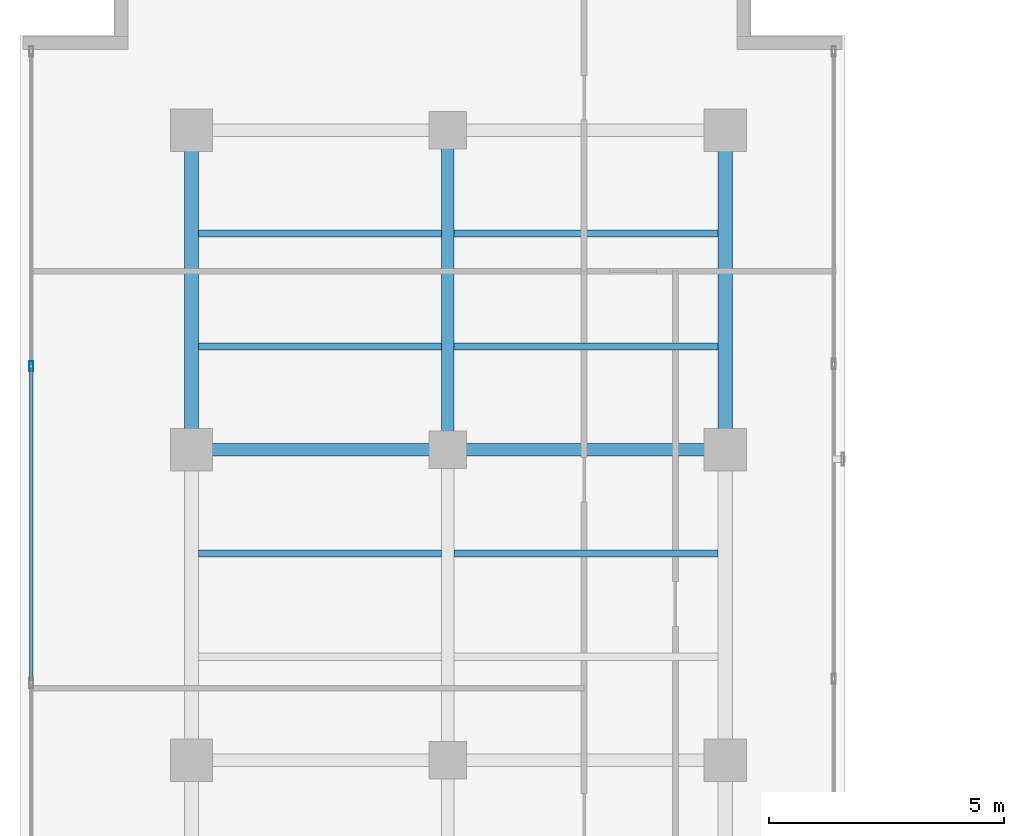
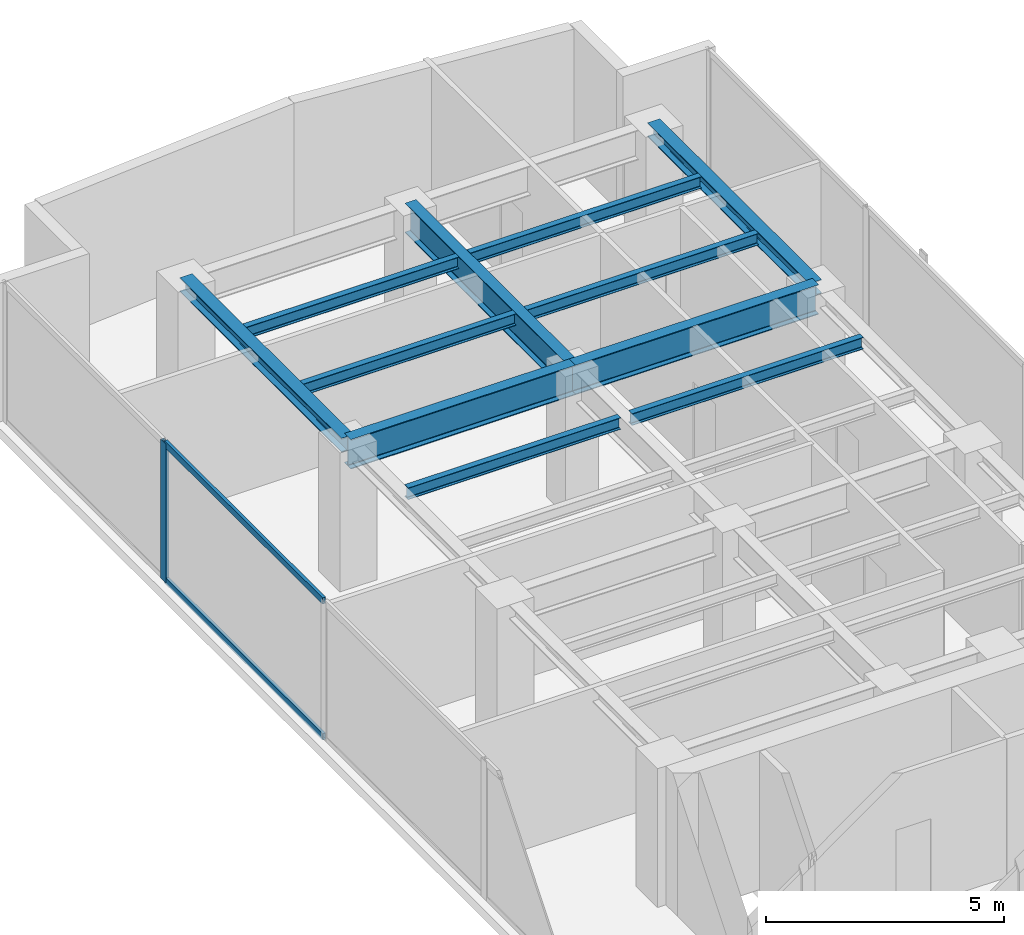
# One storey, part 13 of 22: 11 beams, 3 members, 1 element without a shape of its own.
"""IFC4 building model written with IfcOpenShell, lengths in metres."""

from ifc_helpers import new_model, si_unit, direction, frame, origin, origin_with_axes, origin_2d, place, context, subcontext, project, spatial, hollow_rectangle, i_section, extrude, source, transform, mapped, material, layer, layer_set, material_profile, profile_set, type_object, element, aggregate, save


model = new_model("IFC4")

# Units and contexts
model_context = context("Model", 3, precision=1e-05, world=origin(), true_north=direction((0.0, 1.0)))
body_context = subcontext(model_context, "Body", "Model", "MODEL_VIEW")
ifc_project = project(units=[si_unit("LENGTHUNIT", "METRE"), si_unit("AREAUNIT", "SQUARE_METRE"), si_unit("VOLUMEUNIT", "CUBIC_METRE"), si_unit("PLANEANGLEUNIT", "RADIAN"), si_unit("MASSUNIT", "GRAM", prefix="KILO")], contexts=[model_context])

# Site, building, storey
site_placement = place(None, origin())
site = spatial("IfcSite", under=ifc_project, at=site_placement, CompositionType="ELEMENT")
building_placement = place(site_placement, origin())
building = spatial("IfcBuilding", under=site, at=building_placement, Name="Kolvaren Waterfront Exchange", CompositionType="ELEMENT")
storey_placement = place(building_placement, frame((0.0, 0.0, 281.800048828125)))
storey = spatial("IfcBuildingStorey", under=building, at=storey_placement, Name="L72", CompositionType="ELEMENT", Elevation=281.800048828125)

# Beams
ifc_material_1 = material(Name="Steel S355", Category="steel")
ifc_material_profile_1 = material_profile(ifc_material_1, i_section(OverallWidth=0.300048828125, OverallDepth=0.360107421875, WebThickness=0.012451171875, FlangeThickness=0.0224609375, FilletRadius=0.027099609375, at=origin_2d()), Name="HEB360")
ifc_profile_set_1 = profile_set([ifc_material_profile_1], Name="Steel S355")
beam_type_1 = type_object("IfcBeamType", Name="STR-BM-HEB360", PredefinedType="SPANDREL", material=ifc_profile_set_1)
for number, where, z_axis, x_axis, name in (
    (1, (7.449951171875, 37.800048828125, 3.3798828125), (0.0, 1.0, 0.0), (-1.0, 0.0, 0.0), "L72 north-arm edge beam 3"),
    (2, (18.800048828125, 37.800048828125, 3.3798828125), (0.0, 1.0, 0.0), (-1.0, 0.0, 0.0), "L72 north-arm edge beam 3"),
):
    element("IfcBeam", number, at=place(storey_placement, frame(where, z_axis=z_axis, x_axis=x_axis)), inside=storey, type_object=beam_type_1, Name=name, PredefinedType="SPANDREL", context=body_context, shape_type="SweptSolid", body=[
        extrude(i_section(OverallWidth=0.300048828125, OverallDepth=0.360107421875, WebThickness=0.012451171875, FlangeThickness=0.0224609375, FilletRadius=0.027099609375, at=origin_2d()), origin(), (0.0, 0.0, 1.0), 6.800048828125),
    ])
ifc_material_profile_2 = material_profile(ifc_material_1, i_section(OverallWidth=0.14990234375, OverallDepth=0.300048828125, WebThickness=0.007080078125, FlangeThickness=0.0107421875, FilletRadius=0.014892578125, at=origin_2d()), Name="IPE300")
ifc_profile_set_2 = profile_set([ifc_material_profile_2], Name="Steel S355")
beam_type_2 = type_object("IfcBeamType", Name="STR-BM-IPE300", PredefinedType="JOIST", material=ifc_profile_set_2)
beam_1_placement = place(storey_placement, frame((7.60205078125, 35.60009765625, 3.409912109375), z_axis=(1.0, 0.0, 0.0), x_axis=(0.0, 1.0, 0.0)))
element("IfcBeam", 3, at=beam_1_placement, inside=storey, type_object=beam_type_2, Name="L72 north-arm composite joist 4A", PredefinedType="JOIST", context=body_context, shape_type="SweptSolid", body=[
    extrude(i_section(OverallWidth=0.14990234375, OverallDepth=0.300048828125, WebThickness=0.007080078125, FlangeThickness=0.0107421875, FilletRadius=0.014892578125, at=origin_2d()), origin(), (0.0, 0.0, 1.0), 5.162353515625),
])
beam_2_placement = place(storey_placement, frame((13.035400390625, 35.60009765625, 3.409912109375), z_axis=(1.0, 0.0, 0.0), x_axis=(0.0, 1.0, 0.0)))
element("IfcBeam", 4, at=beam_2_placement, inside=storey, type_object=beam_type_2, Name="L72 north-arm composite joist 4B", PredefinedType="JOIST", context=body_context, shape_type="SweptSolid", body=[
    extrude(i_section(OverallWidth=0.14990234375, OverallDepth=0.300048828125, WebThickness=0.007080078125, FlangeThickness=0.0107421875, FilletRadius=0.014892578125, at=origin_2d()), origin(), (0.0, 0.0, 1.0), 5.612548828125),
])
beam_3_placement = place(storey_placement, frame((7.60205078125, 40.0, 3.409912109375), z_axis=(1.0, 0.0, 0.0), x_axis=(0.0, 1.0, 0.0)))
element("IfcBeam", 5, at=beam_3_placement, inside=storey, type_object=beam_type_2, Name="L72 north-arm composite joist 5A", PredefinedType="JOIST", context=body_context, shape_type="SweptSolid", body=[
    extrude(i_section(OverallWidth=0.14990234375, OverallDepth=0.300048828125, WebThickness=0.007080078125, FlangeThickness=0.0107421875, FilletRadius=0.014892578125, at=origin_2d()), origin(), (0.0, 0.0, 1.0), 5.162353515625),
])
beam_4_placement = place(storey_placement, frame((13.035400390625, 40.0, 3.409912109375), z_axis=(1.0, 0.0, 0.0), x_axis=(0.0, 1.0, 0.0)))
element("IfcBeam", 6, at=beam_4_placement, inside=storey, type_object=beam_type_2, Name="L72 north-arm composite joist 5B", PredefinedType="JOIST", context=body_context, shape_type="SweptSolid", body=[
    extrude(i_section(OverallWidth=0.14990234375, OverallDepth=0.300048828125, WebThickness=0.007080078125, FlangeThickness=0.0107421875, FilletRadius=0.014892578125, at=origin_2d()), origin(), (0.0, 0.0, 1.0), 5.612548828125),
])
beam_5_placement = place(storey_placement, frame((7.60205078125, 42.39990234375, 3.409912109375), z_axis=(1.0, 0.0, 0.0), x_axis=(0.0, 1.0, 0.0)))
element("IfcBeam", 7, at=beam_5_placement, inside=storey, type_object=beam_type_2, Name="L72 north-arm composite joist 6A", PredefinedType="JOIST", context=body_context, shape_type="SweptSolid", body=[
    extrude(i_section(OverallWidth=0.14990234375, OverallDepth=0.300048828125, WebThickness=0.007080078125, FlangeThickness=0.0107421875, FilletRadius=0.014892578125, at=origin_2d()), origin(), (0.0, 0.0, 1.0), 5.162353515625),
])
beam_6_placement = place(storey_placement, frame((13.035400390625, 42.39990234375, 3.409912109375), z_axis=(1.0, 0.0, 0.0), x_axis=(0.0, 1.0, 0.0)))
element("IfcBeam", 8, at=beam_6_placement, inside=storey, type_object=beam_type_2, Name="L72 north-arm composite joist 6B", PredefinedType="JOIST", context=body_context, shape_type="SweptSolid", body=[
    extrude(i_section(OverallWidth=0.14990234375, OverallDepth=0.300048828125, WebThickness=0.007080078125, FlangeThickness=0.0107421875, FilletRadius=0.014892578125, at=origin_2d()), origin(), (0.0, 0.0, 1.0), 5.612548828125),
])
ifc_material_profile_3 = material_profile(ifc_material_1, i_section(OverallWidth=0.26708984375, OverallDepth=0.761962890625, WebThickness=0.014404296875, FlangeThickness=0.021484375, FilletRadius=0.01708984375, at=origin_2d()), Name="IPE750x173")
ifc_profile_set_3 = profile_set([ifc_material_profile_3], Name="Steel S355")
beam_type_3 = type_object("IfcBeamType", Name="STR-BM-IPE750", PredefinedType="BEAM", material=ifc_profile_set_3)
beam_7_placement = place(storey_placement, frame((7.449951171875, 37.800048828125, 3.178955078125), z_axis=(1.0, 0.0, 0.0), x_axis=(0.0, 1.0, 0.0)))
element("IfcBeam", 9, at=beam_7_placement, inside=storey, type_object=beam_type_3, Name="L72 north-arm girder 3A", PredefinedType="BEAM", context=body_context, shape_type="SweptSolid", body=[
    extrude(i_section(OverallWidth=0.26708984375, OverallDepth=0.761962890625, WebThickness=0.014404296875, FlangeThickness=0.021484375, FilletRadius=0.01708984375, at=origin_2d()), origin(), (0.0, 0.0, 1.0), 5.449951171875),
])
beam_8_placement = place(storey_placement, frame((12.89990234375, 37.800048828125, 3.178955078125), z_axis=(1.0, 0.0, 0.0), x_axis=(0.0, 1.0, 0.0)))
element("IfcBeam", 10, at=beam_8_placement, inside=storey, type_object=beam_type_3, Name="L72 north-arm girder 3B", PredefinedType="BEAM", context=body_context, shape_type="SweptSolid", body=[
    extrude(i_section(OverallWidth=0.26708984375, OverallDepth=0.761962890625, WebThickness=0.014404296875, FlangeThickness=0.021484375, FilletRadius=0.01708984375, at=origin_2d()), origin(), (0.0, 0.0, 1.0), 5.900146484375),
])
beam_9_placement = place(storey_placement, frame((12.89990234375, 37.800048828125, 3.178955078125), z_axis=(0.0, 1.0, 0.0), x_axis=(-1.0, 0.0, 0.0)))
element("IfcBeam", 11, at=beam_9_placement, inside=storey, type_object=beam_type_3, Name="L72 north-arm edge beam 3", PredefinedType="BEAM", context=body_context, shape_type="SweptSolid", body=[
    extrude(i_section(OverallWidth=0.26708984375, OverallDepth=0.761962890625, WebThickness=0.014404296875, FlangeThickness=0.021484375, FilletRadius=0.01708984375, at=origin_2d()), origin(), (0.0, 0.0, 1.0), 6.800048828125),
])

# Curtain wall, members
ifc_material_2 = material(Name="Anodised aluminium 6063-T6", Category="aluminium")
ifc_layer = layer(ifc_material_2, 0.219970703125, Name="Anodised aluminium 6063-T6")
ifc_layer_set = layer_set([ifc_layer], Name="Anodised aluminium 6063-T6")
curtain_wall_type = type_object("IfcCurtainWallType", Name="ARC-CW-SYS2", PredefinedType="USERDEFINED", material=ifc_layer_set)
curtain_wall_placement = place(storey_placement, origin())
curtain_wall = element("IfcCurtainWall", 12, at=curtain_wall_placement, inside=storey, type_object=curtain_wall_type, Name="L72 stick curtain wall CW2 (CW-L72-W)", ObjectType="STICK CURTAIN WALL", PredefinedType="USERDEFINED")
ifc_material_profile_4 = material_profile(ifc_material_2, hollow_rectangle(XDim=0.080078125, YDim=0.219970703125, WallThickness=0.0048828125, at=origin_2d()), Name="ALU-MUL-220x80x5")
ifc_profile_set_4 = profile_set([ifc_material_profile_4], Name="Anodised aluminium 6063-T6")
member_type_1 = type_object("IfcMemberType", Name="ARC-CWM-220", PredefinedType="MULLION", material=ifc_profile_set_4)
shared_shape_1 = source(origin_with_axes(), body_context, "Body", "SweptSolid", [
    extrude(hollow_rectangle(XDim=0.080078125, YDim=0.219970703125, WallThickness=0.0048828125, at=origin_2d()), origin(), (0.0, 0.0, 1.0), 3.56005859375),
])
member_1_placement = place(storey_placement, frame((4.0400390625, 39.579833984375, 0.0), z_axis=(0.0, 0.0, 1.0), x_axis=(-1.0, 0.0, 0.0)))
member_1 = element("IfcMember", 13, at=member_1_placement, type_object=member_type_1, Name="CW2 mullion 6", PredefinedType="MULLION", context=body_context, shape_type="MappedRepresentation", body=[
    mapped(shared_shape_1, transform((0.0, 0.0, 0.0), x_axis=(1.0, 0.0, 0.0), y_axis=(0.0, 1.0, 0.0), z_axis=(0.0, 0.0, 1.0), scale=1.0)),
])
ifc_material_profile_5 = material_profile(ifc_material_2, hollow_rectangle(XDim=0.074951171875, YDim=0.159912109375, WallThickness=0.00439453125, at=origin_2d()), Name="ALU-TRN-160x75x4.5")
ifc_profile_set_5 = profile_set([ifc_material_profile_5], Name="Anodised aluminium 6063-T6")
member_type_2 = type_object("IfcMemberType", Name="ARC-CWT-160", PredefinedType="USERDEFINED", material=ifc_profile_set_5)
shared_shape_2 = source(origin_with_axes(), body_context, "Body", "SweptSolid", [
    extrude(hollow_rectangle(XDim=0.074951171875, YDim=0.159912109375, WallThickness=0.00439453125, at=origin_2d()), origin(), (0.0, 0.0, 1.0), 6.656005859375),
])
member_2_placement = place(storey_placement, frame((4.0400390625, 32.8837890625, 0.037353515625), z_axis=(0.0, 1.0, 0.0), x_axis=(-1.0, 0.0, 0.0)))
member_2 = element("IfcMember", 14, at=member_2_placement, type_object=member_type_2, Name="CW2 transom 5.1", ObjectType="TRANSOM", PredefinedType="USERDEFINED", context=body_context, shape_type="MappedRepresentation", body=[
    mapped(shared_shape_2, transform((0.0, 0.0, 0.0), x_axis=(1.0, 0.0, 0.0), y_axis=(0.0, 1.0, 0.0), z_axis=(0.0, 0.0, 1.0), scale=1.0)),
])
member_3_placement = place(storey_placement, frame((4.0400390625, 32.8837890625, 3.5224609375), z_axis=(0.0, 1.0, 0.0), x_axis=(-1.0, 0.0, 0.0)))
member_3 = element("IfcMember", 15, at=member_3_placement, type_object=member_type_2, Name="CW2 transom 5.2", ObjectType="TRANSOM", PredefinedType="USERDEFINED", context=body_context, shape_type="MappedRepresentation", body=[
    mapped(shared_shape_2, transform((0.0, 0.0, 0.0), x_axis=(1.0, 0.0, 0.0), y_axis=(0.0, 1.0, 0.0), z_axis=(0.0, 0.0, 1.0), scale=1.0)),
])
aggregate(curtain_wall, [member_1, member_2, member_3])

save(model, "model.ifc")
